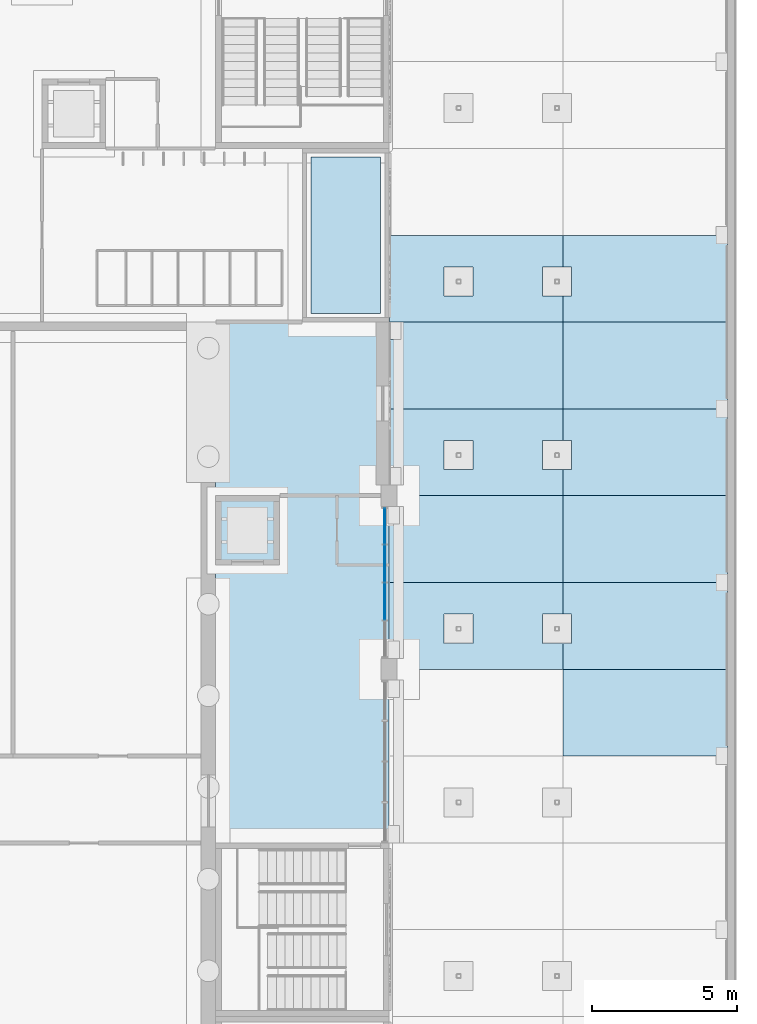
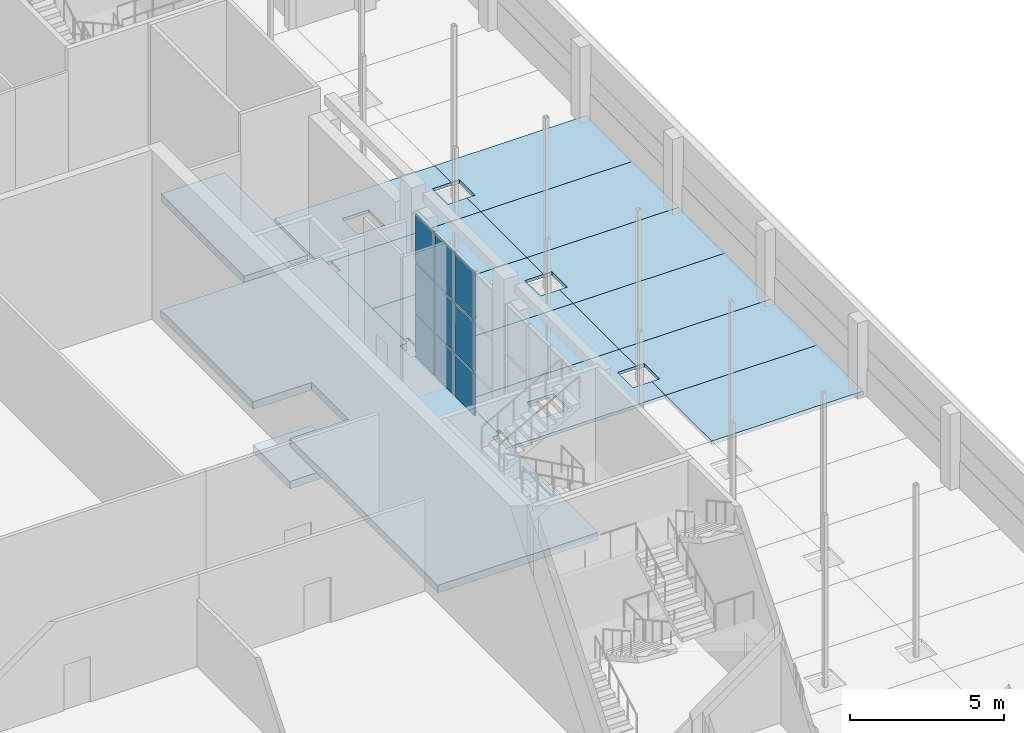
# One storey, part 35 of 95: 14 slabs, 9 plates, 1 element without a shape of its own.
"""IFC4 building model written with IfcOpenShell, lengths in metres."""

from ifc_helpers import new_model, si_unit, direction, frame, origin, origin_2d, place, context, subcontext, project, spatial, polyline, rectangle, outline, extrude, material, layer, layer_set, type_object, element, aggregate, save


model = new_model("IFC4")

# Units and contexts
model_context = context("Model", 3, precision=1e-05, world=origin(), true_north=direction((0.0, 1.0)))
body_context = subcontext(model_context, "Body", "Model", "MODEL_VIEW")
ifc_project = project(units=[si_unit("LENGTHUNIT", "METRE"), si_unit("AREAUNIT", "SQUARE_METRE"), si_unit("VOLUMEUNIT", "CUBIC_METRE"), si_unit("PLANEANGLEUNIT", "RADIAN"), si_unit("MASSUNIT", "GRAM", prefix="KILO")], contexts=[model_context])

# Site, building, storey
site_placement = place(None, origin())
site = spatial("IfcSite", under=ifc_project, at=site_placement, CompositionType="ELEMENT")
building_placement = place(site_placement, origin())
building = spatial("IfcBuilding", under=site, at=building_placement, Name="Saffron Lane Theatres", CompositionType="ELEMENT")
storey_placement = place(building_placement, origin())
storey = spatial("IfcBuildingStorey", under=building, at=storey_placement, Name="L00", CompositionType="ELEMENT", Elevation=0.0)

# Curtain wall, plates
ifc_material_1 = material(Name="Aluminium", Category="aluminium")
curtain_wall_type = type_object("IfcCurtainWallType", Name="EX-CURTAIN WALL 5250x6050x200", PredefinedType="NOTDEFINED", material=ifc_material_1)
curtain_wall_placement = place(storey_placement, origin())
curtain_wall = element("IfcCurtainWall", 1, at=curtain_wall_placement, inside=storey, type_object=curtain_wall_type, Name="Curtain wall L00 05", PredefinedType="NOTDEFINED")
ifc_material_2 = material(Name="Glass", Category="glass")
ifc_layer_1 = layer(ifc_material_2, 0.031982421875)
ifc_layer_set_1 = layer_set([ifc_layer_1], Name="Glass")
plate_type = type_object("IfcPlateType", Name="EX-CW PANEL GLAZING 32", PredefinedType="CURTAIN_PANEL", material=ifc_layer_set_1)
plate_1_placement = place(storey_placement, frame((53.85009765625, 82.953857421875, 0.06005859375), z_axis=(0.0, 0.0, 1.0), x_axis=(0.0, -1.0, 0.0)))
plate_1 = element("IfcPlate", 2, at=plate_1_placement, type_object=plate_type, Name="CW-00-05 panel 1.1", PredefinedType="CURTAIN_PANEL", context=body_context, shape_type="SweptSolid", body=[
    extrude(rectangle(XDim=1.222412109375, YDim=0.031982421875, at=origin_2d()), origin(), (0.0, 0.0, 1.0), 1.926513671875),
])
plate_2_placement = place(storey_placement, frame((53.85009765625, 82.953857421875, 2.04638671875), z_axis=(0.0, 0.0, 1.0), x_axis=(0.0, -1.0, 0.0)))
plate_2 = element("IfcPlate", 3, at=plate_2_placement, type_object=plate_type, Name="CW-00-05 panel 1.2", PredefinedType="CURTAIN_PANEL", context=body_context, shape_type="SweptSolid", body=[
    extrude(rectangle(XDim=1.222412109375, YDim=0.031982421875, at=origin_2d()), origin(), (0.0, 0.0, 1.0), 1.956787109375),
])
plate_3_placement = place(storey_placement, frame((53.85009765625, 82.953857421875, 4.0634765625), z_axis=(0.0, 0.0, 1.0), x_axis=(0.0, -1.0, 0.0)))
plate_3 = element("IfcPlate", 4, at=plate_3_placement, type_object=plate_type, Name="CW-00-05 panel 1.3", PredefinedType="CURTAIN_PANEL", context=body_context, shape_type="SweptSolid", body=[
    extrude(rectangle(XDim=1.222412109375, YDim=0.031982421875, at=origin_2d()), origin(), (0.0, 0.0, 1.0), 1.926513671875),
])
plate_4_placement = place(storey_placement, frame((53.85009765625, 81.65625, 0.06005859375), z_axis=(0.0, 0.0, 1.0), x_axis=(0.0, -1.0, 0.0)))
plate_4 = element("IfcPlate", 5, at=plate_4_placement, type_object=plate_type, Name="CW-00-05 panel 2.1", PredefinedType="CURTAIN_PANEL", context=body_context, shape_type="SweptSolid", body=[
    extrude(rectangle(XDim=1.25244140625, YDim=0.031982421875, at=origin_2d()), origin(), (0.0, 0.0, 1.0), 1.926513671875),
])
plate_5_placement = place(storey_placement, frame((53.85009765625, 81.65625, 2.04638671875), z_axis=(0.0, 0.0, 1.0), x_axis=(0.0, -1.0, 0.0)))
plate_5 = element("IfcPlate", 6, at=plate_5_placement, type_object=plate_type, Name="CW-00-05 panel 2.2", PredefinedType="CURTAIN_PANEL", context=body_context, shape_type="SweptSolid", body=[
    extrude(rectangle(XDim=1.25244140625, YDim=0.031982421875, at=origin_2d()), origin(), (0.0, 0.0, 1.0), 1.956787109375),
])
plate_6_placement = place(storey_placement, frame((53.85009765625, 81.65625, 4.0634765625), z_axis=(0.0, 0.0, 1.0), x_axis=(0.0, -1.0, 0.0)))
plate_6 = element("IfcPlate", 7, at=plate_6_placement, type_object=plate_type, Name="CW-00-05 panel 2.3", PredefinedType="CURTAIN_PANEL", context=body_context, shape_type="SweptSolid", body=[
    extrude(rectangle(XDim=1.25244140625, YDim=0.031982421875, at=origin_2d()), origin(), (0.0, 0.0, 1.0), 1.926513671875),
])
plate_7_placement = place(storey_placement, frame((53.85009765625, 80.34375, 0.06005859375), z_axis=(0.0, 0.0, 1.0), x_axis=(0.0, -1.0, 0.0)))
plate_7 = element("IfcPlate", 8, at=plate_7_placement, type_object=plate_type, Name="CW-00-05 panel 3.1", PredefinedType="CURTAIN_PANEL", context=body_context, shape_type="SweptSolid", body=[
    extrude(rectangle(XDim=1.25244140625, YDim=0.031982421875, at=origin_2d()), origin(), (0.0, 0.0, 1.0), 1.926513671875),
])
plate_8_placement = place(storey_placement, frame((53.85009765625, 80.34375, 2.04638671875), z_axis=(0.0, 0.0, 1.0), x_axis=(0.0, -1.0, 0.0)))
plate_8 = element("IfcPlate", 9, at=plate_8_placement, type_object=plate_type, Name="CW-00-05 panel 3.2", PredefinedType="CURTAIN_PANEL", context=body_context, shape_type="SweptSolid", body=[
    extrude(rectangle(XDim=1.25244140625, YDim=0.031982421875, at=origin_2d()), origin(), (0.0, 0.0, 1.0), 1.956787109375),
])
plate_9_placement = place(storey_placement, frame((53.85009765625, 80.34375, 4.0634765625), z_axis=(0.0, 0.0, 1.0), x_axis=(0.0, -1.0, 0.0)))
plate_9 = element("IfcPlate", 10, at=plate_9_placement, type_object=plate_type, Name="CW-00-05 panel 3.3", PredefinedType="CURTAIN_PANEL", context=body_context, shape_type="SweptSolid", body=[
    extrude(rectangle(XDim=1.25244140625, YDim=0.031982421875, at=origin_2d()), origin(), (0.0, 0.0, 1.0), 1.926513671875),
])
aggregate(curtain_wall, [plate_1, plate_2, plate_3, plate_4, plate_5, plate_6, plate_7, plate_8, plate_9])

# Slabs
ifc_material_3 = material(Name="Masonry bluestone paving", Category="masonry")
ifc_layer_2 = layer(ifc_material_3, 0.1201171875)
ifc_layer_set_2 = layer_set([ifc_layer_2], Name="Masonry bluestone paving")
slab_type_1 = type_object("IfcSlabType", Name="EX-PAVING BLUESTONE 120", PredefinedType="USERDEFINED", material=ifc_layer_set_2)
slab_1_placement = place(storey_placement, frame((0.0, 0.0, -0.1201171875)))
element("IfcSlab", 11, at=slab_1_placement, inside=storey, type_object=slab_type_1, Name="Saffron Lane passage paving 18", ObjectType="PAVING", PredefinedType="USERDEFINED", context=body_context, shape_type="SweptSolid", body=[
    extrude(outline(polyline([(60.0, 81.0), (60.0, 84.0), (54.279052734375, 84.0), (54.279052734375, 83.62890625), (54.35009765625, 83.62890625), (54.350341796875, 83.62890625), (54.350830078125, 83.62890625), (54.35107421875, 83.62890625), (54.3515625, 83.628662109375), (54.351806640625, 83.62841796875), (54.352294921875, 83.62841796875), (54.3525390625, 83.628173828125), (54.352783203125, 83.6279296875), (54.35302734375, 83.62744140625), (54.353271484375, 83.627197265625), (54.353515625, 83.626953125), (54.353759765625, 83.62646484375), (54.353759765625, 83.626220703125), (54.35400390625, 83.625732421875), (54.35400390625, 83.62548828125), (54.35400390625, 83.625), (54.35400390625, 83.02490234375), (54.35400390625, 83.024658203125), (54.35400390625, 83.024169921875), (54.353759765625, 83.02392578125), (54.353759765625, 83.0234375), (54.353515625, 83.023193359375), (54.353271484375, 83.022705078125), (54.35302734375, 83.0224609375), (54.352783203125, 83.022216796875), (54.3525390625, 83.02197265625), (54.352294921875, 83.021728515625), (54.351806640625, 83.021484375), (54.3515625, 83.021240234375), (54.35107421875, 83.021240234375), (54.350830078125, 83.02099609375), (54.350341796875, 83.02099609375), (54.35009765625, 83.02099609375), (54.00390625, 83.02099609375), (54.00390625, 81.0), (60.0, 81.0)])), origin(), (0.0, 0.0, 1.0), 0.1201171875),
])
slab_2_placement = place(storey_placement, frame((0.0, 0.0, -0.1201171875)))
element("IfcSlab", 12, at=slab_2_placement, inside=storey, type_object=slab_type_1, Name="Saffron Lane passage paving 20", ObjectType="PAVING", PredefinedType="USERDEFINED", context=body_context, shape_type="SweptSolid", body=[
    extrude(outline(polyline([(60.0, 87.0), (60.0, 90.0), (54.404052734375, 90.0), (54.404052734375, 89.39990234375), (54.404052734375, 89.399658203125), (54.40380859375, 89.399169921875), (54.40380859375, 89.39892578125), (54.40380859375, 89.3984375), (54.403564453125, 89.398193359375), (54.4033203125, 89.397705078125), (54.403076171875, 89.3974609375), (54.40283203125, 89.397216796875), (54.402587890625, 89.39697265625), (54.40234375, 89.396728515625), (54.40185546875, 89.396484375), (54.401611328125, 89.396240234375), (54.401123046875, 89.396240234375), (54.40087890625, 89.39599609375), (54.400390625, 89.39599609375), (54.39990234375, 89.39599609375), (54.00390625, 89.39599609375), (54.00390625, 87.0), (60.0, 87.0)])), origin(), (0.0, 0.0, 1.0), 0.1201171875),
])
ifc_material_4 = material(Name="Masonry bluestone paving", Category="masonry")
ifc_layer_3 = layer(ifc_material_4, 0.14990234375)
ifc_layer_set_3 = layer_set([ifc_layer_3], Name="Masonry bluestone paving")
slab_type_2 = type_object("IfcSlabType", Name="EX-PAVING BLUESTONE 150", PredefinedType="USERDEFINED", material=ifc_layer_set_3)
slab_3_placement = place(storey_placement, frame((0.0, 0.0, -0.14990234375)))
element("IfcSlab", 13, at=slab_3_placement, inside=storey, type_object=slab_type_2, Name="East court paving 31", ObjectType="PAVING", PredefinedType="USERDEFINED", context=body_context, shape_type="SweptSolid", body=[
    extrude(outline(polyline([(60.0, 78.0), (60.0, 75.0), (65.68603515625, 75.0), (65.68603515625, 78.0), (60.0, 78.0)])), origin(), (0.0, 0.0, 1.0), 0.14990234375),
])
slab_4_placement = place(storey_placement, frame((0.0, 0.0, -0.14990234375)))
element("IfcSlab", 14, at=slab_4_placement, inside=storey, type_object=slab_type_2, Name="East court paving 35", ObjectType="PAVING", PredefinedType="USERDEFINED", context=body_context, shape_type="SweptSolid", body=[
    extrude(outline(polyline([(60.0, 84.0), (60.0, 81.0), (65.68603515625, 81.0), (65.68603515625, 84.0), (60.0, 84.0)])), origin(), (0.0, 0.0, 1.0), 0.14990234375),
])
slab_5_placement = place(storey_placement, frame((0.0, 0.0, -0.14990234375)))
element("IfcSlab", 15, at=slab_5_placement, inside=storey, type_object=slab_type_2, Name="East court paving 39", ObjectType="PAVING", PredefinedType="USERDEFINED", context=body_context, shape_type="SweptSolid", body=[
    extrude(outline(polyline([(60.0, 90.0), (60.0, 87.0), (65.68603515625, 87.0), (65.68603515625, 90.0), (60.0, 90.0)])), origin(), (0.0, 0.0, 1.0), 0.14990234375),
])
ifc_material_5 = material(Name="Masonry sandstone paving", Category="masonry")
ifc_layer_4 = layer(ifc_material_5, 0.1201171875)
ifc_layer_set_4 = layer_set([ifc_layer_4], Name="Masonry sandstone paving")
slab_type_3 = type_object("IfcSlabType", Name="EX-PAVING SANDSTONE 120", PredefinedType="USERDEFINED", material=ifc_layer_set_4)
slab_6_placement = place(storey_placement, frame((0.0, 0.0, -0.1201171875)))
element("IfcSlab", 16, at=slab_6_placement, inside=storey, type_object=slab_type_3, Name="Saffron Lane passage paving 17", ObjectType="PAVING", PredefinedType="USERDEFINED", context=body_context, shape_type="SweptSolid", body=[
    extrude(outline(polyline([(60.0, 79.904052734375), (60.0, 81.0), (54.00390625, 81.0), (54.00390625, 78.97900390625), (54.35009765625, 78.97900390625), (54.350341796875, 78.97900390625), (54.350830078125, 78.97900390625), (54.35107421875, 78.978759765625), (54.3515625, 78.978759765625), (54.351806640625, 78.978515625), (54.352294921875, 78.978271484375), (54.3525390625, 78.97802734375), (54.352783203125, 78.977783203125), (54.35302734375, 78.9775390625), (54.353271484375, 78.977294921875), (54.353515625, 78.976806640625), (54.353759765625, 78.9765625), (54.353759765625, 78.97607421875), (54.35400390625, 78.975830078125), (54.35400390625, 78.975341796875), (54.35400390625, 78.97509765625), (54.35400390625, 78.375), (54.35400390625, 78.37451171875), (54.35400390625, 78.374267578125), (54.353759765625, 78.373779296875), (54.353759765625, 78.37353515625), (54.353515625, 78.373046875), (54.353271484375, 78.372802734375), (54.35302734375, 78.37255859375), (54.352783203125, 78.3720703125), (54.3525390625, 78.371826171875), (54.352294921875, 78.37158203125), (54.351806640625, 78.37158203125), (54.3515625, 78.371337890625), (54.35107421875, 78.37109375), (54.350830078125, 78.37109375), (54.350341796875, 78.37109375), (54.35009765625, 78.37109375), (54.279052734375, 78.37109375), (54.279052734375, 78.0), (60.0, 78.0), (60.0, 78.89599609375), (59.300048828125, 78.89599609375), (59.299560546875, 78.89599609375), (59.29931640625, 78.89599609375), (59.298828125, 78.896240234375), (59.298583984375, 78.896240234375), (59.298095703125, 78.896484375), (59.2978515625, 78.896728515625), (59.29736328125, 78.89697265625), (59.297119140625, 78.897216796875), (59.296875, 78.8974609375), (59.296630859375, 78.897705078125), (59.29638671875, 78.898193359375), (59.29638671875, 78.8984375), (59.296142578125, 78.89892578125), (59.296142578125, 78.899169921875), (59.2958984375, 78.899658203125), (59.2958984375, 78.89990234375), (59.2958984375, 79.89990234375), (59.2958984375, 79.900390625), (59.296142578125, 79.90087890625), (59.296142578125, 79.901123046875), (59.29638671875, 79.901611328125), (59.29638671875, 79.90185546875), (59.296630859375, 79.90234375), (59.296875, 79.902587890625), (59.297119140625, 79.90283203125), (59.29736328125, 79.903076171875), (59.2978515625, 79.9033203125), (59.298095703125, 79.903564453125), (59.298583984375, 79.90380859375), (59.298828125, 79.90380859375), (59.29931640625, 79.90380859375), (59.299560546875, 79.904052734375), (59.300048828125, 79.904052734375), (60.0, 79.904052734375)]), holes=[polyline([(55.89599609375, 79.900390625), (55.89599609375, 79.90087890625), (55.896240234375, 79.901123046875), (55.896240234375, 79.901611328125), (55.896484375, 79.90185546875), (55.896728515625, 79.90234375), (55.89697265625, 79.902587890625), (55.897216796875, 79.90283203125), (55.8974609375, 79.903076171875), (55.897705078125, 79.9033203125), (55.898193359375, 79.903564453125), (55.8984375, 79.90380859375), (55.89892578125, 79.90380859375), (55.899169921875, 79.90380859375), (55.899658203125, 79.904052734375), (55.89990234375, 79.904052734375), (56.89990234375, 79.904052734375), (56.900390625, 79.904052734375), (56.90087890625, 79.90380859375), (56.901123046875, 79.90380859375), (56.901611328125, 79.90380859375), (56.90185546875, 79.903564453125), (56.90234375, 79.9033203125), (56.902587890625, 79.903076171875), (56.90283203125, 79.90283203125), (56.903076171875, 79.902587890625), (56.9033203125, 79.90234375), (56.903564453125, 79.90185546875), (56.90380859375, 79.901611328125), (56.90380859375, 79.901123046875), (56.90380859375, 79.90087890625), (56.904052734375, 79.900390625), (56.904052734375, 79.89990234375), (56.904052734375, 78.89990234375), (56.904052734375, 78.899658203125), (56.90380859375, 78.899169921875), (56.90380859375, 78.89892578125), (56.90380859375, 78.8984375), (56.903564453125, 78.898193359375), (56.9033203125, 78.897705078125), (56.903076171875, 78.8974609375), (56.90283203125, 78.897216796875), (56.902587890625, 78.89697265625), (56.90234375, 78.896728515625), (56.90185546875, 78.896484375), (56.901611328125, 78.896240234375), (56.901123046875, 78.896240234375), (56.90087890625, 78.89599609375), (56.900390625, 78.89599609375), (56.89990234375, 78.89599609375), (55.89990234375, 78.89599609375), (55.899658203125, 78.89599609375), (55.899169921875, 78.89599609375), (55.89892578125, 78.896240234375), (55.8984375, 78.896240234375), (55.898193359375, 78.896484375), (55.897705078125, 78.896728515625), (55.8974609375, 78.89697265625), (55.897216796875, 78.897216796875), (55.89697265625, 78.8974609375), (55.896728515625, 78.897705078125), (55.896484375, 78.898193359375), (55.896240234375, 78.8984375), (55.896240234375, 78.89892578125), (55.89599609375, 78.899169921875), (55.89599609375, 78.899658203125), (55.89599609375, 78.89990234375), (55.89599609375, 79.89990234375), (55.89599609375, 79.900390625)])]), origin(), (0.0, 0.0, 1.0), 0.1201171875),
])
slab_7_placement = place(storey_placement, frame((0.0, 0.0, -0.1201171875)))
element("IfcSlab", 17, at=slab_7_placement, inside=storey, type_object=slab_type_3, Name="Saffron Lane passage paving 19", ObjectType="PAVING", PredefinedType="USERDEFINED", context=body_context, shape_type="SweptSolid", body=[
    extrude(outline(polyline([(60.0, 85.904052734375), (60.0, 87.0), (54.00390625, 87.0), (54.00390625, 84.97900390625), (54.39990234375, 84.97900390625), (54.400390625, 84.97900390625), (54.40087890625, 84.97900390625), (54.401123046875, 84.978759765625), (54.401611328125, 84.978759765625), (54.40185546875, 84.978515625), (54.40234375, 84.978271484375), (54.402587890625, 84.97802734375), (54.40283203125, 84.977783203125), (54.403076171875, 84.9775390625), (54.4033203125, 84.977294921875), (54.403564453125, 84.976806640625), (54.40380859375, 84.9765625), (54.40380859375, 84.97607421875), (54.40380859375, 84.975830078125), (54.404052734375, 84.975341796875), (54.404052734375, 84.97509765625), (54.404052734375, 84.375), (54.404052734375, 84.37451171875), (54.40380859375, 84.374267578125), (54.40380859375, 84.373779296875), (54.40380859375, 84.37353515625), (54.403564453125, 84.373046875), (54.4033203125, 84.372802734375), (54.403076171875, 84.37255859375), (54.40283203125, 84.3720703125), (54.402587890625, 84.371826171875), (54.40234375, 84.37158203125), (54.40185546875, 84.37158203125), (54.401611328125, 84.371337890625), (54.401123046875, 84.37109375), (54.40087890625, 84.37109375), (54.400390625, 84.37109375), (54.39990234375, 84.37109375), (54.279052734375, 84.37109375), (54.279052734375, 84.0), (60.0, 84.0), (60.0, 84.89599609375), (59.300048828125, 84.89599609375), (59.299560546875, 84.89599609375), (59.29931640625, 84.89599609375), (59.298828125, 84.896240234375), (59.298583984375, 84.896240234375), (59.298095703125, 84.896484375), (59.2978515625, 84.896728515625), (59.29736328125, 84.89697265625), (59.297119140625, 84.897216796875), (59.296875, 84.8974609375), (59.296630859375, 84.897705078125), (59.29638671875, 84.898193359375), (59.29638671875, 84.8984375), (59.296142578125, 84.89892578125), (59.296142578125, 84.899169921875), (59.2958984375, 84.899658203125), (59.2958984375, 84.89990234375), (59.2958984375, 85.89990234375), (59.2958984375, 85.900390625), (59.296142578125, 85.90087890625), (59.296142578125, 85.901123046875), (59.29638671875, 85.901611328125), (59.29638671875, 85.90185546875), (59.296630859375, 85.90234375), (59.296875, 85.902587890625), (59.297119140625, 85.90283203125), (59.29736328125, 85.903076171875), (59.2978515625, 85.9033203125), (59.298095703125, 85.903564453125), (59.298583984375, 85.90380859375), (59.298828125, 85.90380859375), (59.29931640625, 85.90380859375), (59.299560546875, 85.904052734375), (59.300048828125, 85.904052734375), (60.0, 85.904052734375)]), holes=[polyline([(55.89599609375, 85.90087890625), (55.896240234375, 85.901123046875), (55.896240234375, 85.901611328125), (55.896484375, 85.90185546875), (55.896728515625, 85.90234375), (55.89697265625, 85.902587890625), (55.897216796875, 85.90283203125), (55.8974609375, 85.903076171875), (55.897705078125, 85.9033203125), (55.898193359375, 85.903564453125), (55.8984375, 85.90380859375), (55.89892578125, 85.90380859375), (55.899169921875, 85.90380859375), (55.899658203125, 85.904052734375), (55.89990234375, 85.904052734375), (56.89990234375, 85.904052734375), (56.900390625, 85.904052734375), (56.90087890625, 85.90380859375), (56.901123046875, 85.90380859375), (56.901611328125, 85.90380859375), (56.90185546875, 85.903564453125), (56.90234375, 85.9033203125), (56.902587890625, 85.903076171875), (56.90283203125, 85.90283203125), (56.903076171875, 85.902587890625), (56.9033203125, 85.90234375), (56.903564453125, 85.90185546875), (56.90380859375, 85.901611328125), (56.90380859375, 85.901123046875), (56.90380859375, 85.90087890625), (56.904052734375, 85.900390625), (56.904052734375, 85.89990234375), (56.904052734375, 84.89990234375), (56.904052734375, 84.899658203125), (56.90380859375, 84.899169921875), (56.90380859375, 84.89892578125), (56.90380859375, 84.8984375), (56.903564453125, 84.898193359375), (56.9033203125, 84.897705078125), (56.903076171875, 84.8974609375), (56.90283203125, 84.897216796875), (56.902587890625, 84.89697265625), (56.90234375, 84.896728515625), (56.90185546875, 84.896484375), (56.901611328125, 84.896240234375), (56.901123046875, 84.896240234375), (56.90087890625, 84.89599609375), (56.900390625, 84.89599609375), (56.89990234375, 84.89599609375), (55.89990234375, 84.89599609375), (55.899658203125, 84.89599609375), (55.899169921875, 84.89599609375), (55.89892578125, 84.896240234375), (55.8984375, 84.896240234375), (55.898193359375, 84.896484375), (55.897705078125, 84.896728515625), (55.8974609375, 84.89697265625), (55.897216796875, 84.897216796875), (55.89697265625, 84.8974609375), (55.896728515625, 84.897705078125), (55.896484375, 84.898193359375), (55.896240234375, 84.8984375), (55.896240234375, 84.89892578125), (55.89599609375, 84.899169921875), (55.89599609375, 84.899658203125), (55.89599609375, 84.89990234375), (55.89599609375, 85.89990234375), (55.89599609375, 85.900390625), (55.89599609375, 85.90087890625)])]), origin(), (0.0, 0.0, 1.0), 0.1201171875),
])
slab_8_placement = place(storey_placement, frame((0.0, 0.0, -0.1201171875)))
element("IfcSlab", 18, at=slab_8_placement, inside=storey, type_object=slab_type_3, Name="Saffron Lane passage paving 21", ObjectType="PAVING", PredefinedType="USERDEFINED", context=body_context, shape_type="SweptSolid", body=[
    extrude(outline(polyline([(60.0, 91.904052734375), (60.0, 93.0), (54.00390625, 93.0), (54.00390625, 90.14990234375), (54.00390625, 90.00390625), (54.39990234375, 90.00390625), (54.400390625, 90.00390625), (54.40087890625, 90.00390625), (54.401123046875, 90.00390625), (54.401611328125, 90.003662109375), (54.40185546875, 90.00341796875), (54.40234375, 90.00341796875), (54.402587890625, 90.003173828125), (54.40283203125, 90.0029296875), (54.403076171875, 90.00244140625), (54.4033203125, 90.002197265625), (54.403564453125, 90.001953125), (54.40380859375, 90.00146484375), (54.40380859375, 90.001220703125), (54.40380859375, 90.000732421875), (54.404052734375, 90.00048828125), (54.404052734375, 90.0), (60.0, 90.0), (60.0, 90.89599609375), (59.300048828125, 90.89599609375), (59.299560546875, 90.89599609375), (59.29931640625, 90.89599609375), (59.298828125, 90.896240234375), (59.298583984375, 90.896240234375), (59.298095703125, 90.896484375), (59.2978515625, 90.896728515625), (59.29736328125, 90.89697265625), (59.297119140625, 90.897216796875), (59.296875, 90.8974609375), (59.296630859375, 90.897705078125), (59.29638671875, 90.898193359375), (59.29638671875, 90.8984375), (59.296142578125, 90.89892578125), (59.296142578125, 90.899169921875), (59.2958984375, 90.899658203125), (59.2958984375, 90.89990234375), (59.2958984375, 91.89990234375), (59.2958984375, 91.900390625), (59.296142578125, 91.90087890625), (59.296142578125, 91.901123046875), (59.29638671875, 91.901611328125), (59.29638671875, 91.90185546875), (59.296630859375, 91.90234375), (59.296875, 91.902587890625), (59.297119140625, 91.90283203125), (59.29736328125, 91.903076171875), (59.2978515625, 91.9033203125), (59.298095703125, 91.903564453125), (59.298583984375, 91.90380859375), (59.298828125, 91.90380859375), (59.29931640625, 91.90380859375), (59.299560546875, 91.904052734375), (59.300048828125, 91.904052734375), (60.0, 91.904052734375)]), holes=[polyline([(55.89599609375, 91.90087890625), (55.896240234375, 91.901123046875), (55.896240234375, 91.901611328125), (55.896484375, 91.90185546875), (55.896728515625, 91.90234375), (55.89697265625, 91.902587890625), (55.897216796875, 91.90283203125), (55.8974609375, 91.903076171875), (55.897705078125, 91.9033203125), (55.898193359375, 91.903564453125), (55.8984375, 91.90380859375), (55.89892578125, 91.90380859375), (55.899169921875, 91.90380859375), (55.899658203125, 91.904052734375), (55.89990234375, 91.904052734375), (56.89990234375, 91.904052734375), (56.900390625, 91.904052734375), (56.90087890625, 91.90380859375), (56.901123046875, 91.90380859375), (56.901611328125, 91.90380859375), (56.90185546875, 91.903564453125), (56.90234375, 91.9033203125), (56.902587890625, 91.903076171875), (56.90283203125, 91.90283203125), (56.903076171875, 91.902587890625), (56.9033203125, 91.90234375), (56.903564453125, 91.90185546875), (56.90380859375, 91.901611328125), (56.90380859375, 91.901123046875), (56.90380859375, 91.90087890625), (56.904052734375, 91.900390625), (56.904052734375, 91.89990234375), (56.904052734375, 90.89990234375), (56.904052734375, 90.899658203125), (56.90380859375, 90.899169921875), (56.90380859375, 90.89892578125), (56.90380859375, 90.8984375), (56.903564453125, 90.898193359375), (56.9033203125, 90.897705078125), (56.903076171875, 90.8974609375), (56.90283203125, 90.897216796875), (56.902587890625, 90.89697265625), (56.90234375, 90.896728515625), (56.90185546875, 90.896484375), (56.901611328125, 90.896240234375), (56.901123046875, 90.896240234375), (56.90087890625, 90.89599609375), (56.900390625, 90.89599609375), (56.89990234375, 90.89599609375), (55.89990234375, 90.89599609375), (55.899658203125, 90.89599609375), (55.899169921875, 90.89599609375), (55.89892578125, 90.896240234375), (55.8984375, 90.896240234375), (55.898193359375, 90.896484375), (55.897705078125, 90.896728515625), (55.8974609375, 90.89697265625), (55.897216796875, 90.897216796875), (55.89697265625, 90.8974609375), (55.896728515625, 90.897705078125), (55.896484375, 90.898193359375), (55.896240234375, 90.8984375), (55.896240234375, 90.89892578125), (55.89599609375, 90.899169921875), (55.89599609375, 90.899658203125), (55.89599609375, 90.89990234375), (55.89599609375, 91.89990234375), (55.89599609375, 91.900390625), (55.89599609375, 91.90087890625)])]), origin(), (0.0, 0.0, 1.0), 0.1201171875),
])
ifc_material_6 = material(Name="Masonry sandstone paving", Category="masonry")
ifc_layer_5 = layer(ifc_material_6, 0.14990234375)
ifc_layer_set_5 = layer_set([ifc_layer_5], Name="Masonry sandstone paving")
slab_type_4 = type_object("IfcSlabType", Name="EX-PAVING SANDSTONE 150", PredefinedType="USERDEFINED", material=ifc_layer_set_5)
slab_9_placement = place(storey_placement, frame((0.0, 0.0, -0.14990234375)))
element("IfcSlab", 19, at=slab_9_placement, inside=storey, type_object=slab_type_4, Name="East court paving 33", ObjectType="PAVING", PredefinedType="USERDEFINED", context=body_context, shape_type="SweptSolid", body=[
    extrude(outline(polyline([(60.0, 78.89599609375), (60.0, 78.0), (65.68603515625, 78.0), (65.68603515625, 81.0), (60.0, 81.0), (60.0, 79.904052734375), (60.300048828125, 79.904052734375), (60.30029296875, 79.904052734375), (60.30078125, 79.90380859375), (60.30126953125, 79.90380859375), (60.301513671875, 79.90380859375), (60.302001953125, 79.903564453125), (60.30224609375, 79.9033203125), (60.302490234375, 79.903076171875), (60.302734375, 79.90283203125), (60.302978515625, 79.902587890625), (60.30322265625, 79.90234375), (60.303466796875, 79.90185546875), (60.3037109375, 79.901611328125), (60.3037109375, 79.901123046875), (60.303955078125, 79.90087890625), (60.303955078125, 79.900390625), (60.303955078125, 79.89990234375), (60.303955078125, 78.89990234375), (60.303955078125, 78.899658203125), (60.303955078125, 78.899169921875), (60.3037109375, 78.89892578125), (60.3037109375, 78.8984375), (60.303466796875, 78.898193359375), (60.30322265625, 78.897705078125), (60.302978515625, 78.8974609375), (60.302734375, 78.897216796875), (60.302490234375, 78.89697265625), (60.30224609375, 78.896728515625), (60.302001953125, 78.896484375), (60.301513671875, 78.896240234375), (60.30126953125, 78.896240234375), (60.30078125, 78.89599609375), (60.30029296875, 78.89599609375), (60.300048828125, 78.89599609375), (60.0, 78.89599609375)])), origin(), (0.0, 0.0, 1.0), 0.14990234375),
])
slab_10_placement = place(storey_placement, frame((0.0, 0.0, -0.14990234375)))
element("IfcSlab", 20, at=slab_10_placement, inside=storey, type_object=slab_type_4, Name="East court paving 37", ObjectType="PAVING", PredefinedType="USERDEFINED", context=body_context, shape_type="SweptSolid", body=[
    extrude(outline(polyline([(60.0, 84.89599609375), (60.0, 84.0), (65.68603515625, 84.0), (65.68603515625, 87.0), (60.0, 87.0), (60.0, 85.904052734375), (60.300048828125, 85.904052734375), (60.30029296875, 85.904052734375), (60.30078125, 85.90380859375), (60.30126953125, 85.90380859375), (60.301513671875, 85.90380859375), (60.302001953125, 85.903564453125), (60.30224609375, 85.9033203125), (60.302490234375, 85.903076171875), (60.302734375, 85.90283203125), (60.302978515625, 85.902587890625), (60.30322265625, 85.90234375), (60.303466796875, 85.90185546875), (60.3037109375, 85.901611328125), (60.3037109375, 85.901123046875), (60.303955078125, 85.90087890625), (60.303955078125, 85.900390625), (60.303955078125, 85.89990234375), (60.303955078125, 84.89990234375), (60.303955078125, 84.899658203125), (60.303955078125, 84.899169921875), (60.3037109375, 84.89892578125), (60.3037109375, 84.8984375), (60.303466796875, 84.898193359375), (60.30322265625, 84.897705078125), (60.302978515625, 84.8974609375), (60.302734375, 84.897216796875), (60.302490234375, 84.89697265625), (60.30224609375, 84.896728515625), (60.302001953125, 84.896484375), (60.301513671875, 84.896240234375), (60.30126953125, 84.896240234375), (60.30078125, 84.89599609375), (60.30029296875, 84.89599609375), (60.300048828125, 84.89599609375), (60.0, 84.89599609375)])), origin(), (0.0, 0.0, 1.0), 0.14990234375),
])
slab_11_placement = place(storey_placement, frame((0.0, 0.0, -0.14990234375)))
element("IfcSlab", 21, at=slab_11_placement, inside=storey, type_object=slab_type_4, Name="East court paving 41", ObjectType="PAVING", PredefinedType="USERDEFINED", context=body_context, shape_type="SweptSolid", body=[
    extrude(outline(polyline([(60.0, 90.89599609375), (60.0, 90.0), (65.68603515625, 90.0), (65.68603515625, 93.0), (60.0, 93.0), (60.0, 91.904052734375), (60.300048828125, 91.904052734375), (60.30029296875, 91.904052734375), (60.30078125, 91.90380859375), (60.30126953125, 91.90380859375), (60.301513671875, 91.90380859375), (60.302001953125, 91.903564453125), (60.30224609375, 91.9033203125), (60.302490234375, 91.903076171875), (60.302734375, 91.90283203125), (60.302978515625, 91.902587890625), (60.30322265625, 91.90234375), (60.303466796875, 91.90185546875), (60.3037109375, 91.901611328125), (60.3037109375, 91.901123046875), (60.303955078125, 91.90087890625), (60.303955078125, 91.900390625), (60.303955078125, 91.89990234375), (60.303955078125, 90.89990234375), (60.303955078125, 90.899658203125), (60.303955078125, 90.899169921875), (60.3037109375, 90.89892578125), (60.3037109375, 90.8984375), (60.303466796875, 90.898193359375), (60.30322265625, 90.897705078125), (60.302978515625, 90.8974609375), (60.302734375, 90.897216796875), (60.302490234375, 90.89697265625), (60.30224609375, 90.896728515625), (60.302001953125, 90.896484375), (60.301513671875, 90.896240234375), (60.30126953125, 90.896240234375), (60.30078125, 90.89599609375), (60.30029296875, 90.89599609375), (60.300048828125, 90.89599609375), (60.0, 90.89599609375)])), origin(), (0.0, 0.0, 1.0), 0.14990234375),
])
ifc_material_7 = material(Name="Concrete N40 (40 MPa)", Category="concrete")
ifc_layer_6 = layer(ifc_material_7, 0.300048828125)
ifc_layer_set_6 = layer_set([ifc_layer_6], Name="Concrete N40 (40 MPa)")
slab_type_5 = type_object("IfcSlabType", Name="RC-SLAB BASE 300", PredefinedType="BASESLAB", material=ifc_layer_set_6)
slab_12_placement = place(storey_placement, origin())
element("IfcSlab", 22, at=slab_12_placement, inside=storey, type_object=slab_type_5, Name="slab-L00-AUD-5", PredefinedType="BASESLAB", context=body_context, shape_type="SweptSolid", body=[
    extrude(outline(polyline([(48.0, 72.0), (54.0, 72.0), (54.0, 77.623046875), (53.722900390625, 77.623046875), (53.722900390625, 78.376953125), (54.0, 78.376953125), (54.0, 83.623046875), (53.722900390625, 83.623046875), (53.722900390625, 84.376953125), (54.0, 84.376953125), (54.0, 90.0), (51.0, 90.0), (48.0, 90.0), (48.0, 84.0), (50.199951171875, 84.0), (50.199951171875, 81.60009765625), (48.0, 81.60009765625), (48.0, 72.0)])), origin(), (0.0, 0.0, 1.0), 0.300048828125),
])
slab_13_placement = place(storey_placement, origin())
element("IfcSlab", 23, at=slab_13_placement, inside=storey, type_object=slab_type_5, Name="slab-L00-core-R2", PredefinedType="BASESLAB", context=body_context, shape_type="SweptSolid", body=[
    extrude(outline(polyline([(51.300048828125, 90.300048828125), (53.699951171875, 90.300048828125), (53.699951171875, 95.699951171875), (51.300048828125, 95.699951171875), (51.300048828125, 90.300048828125)])), origin(), (0.0, 0.0, 1.0), 0.300048828125),
])
slab_14_placement = place(storey_placement, frame((0.0, 0.0, -1.699951171875)))
element("IfcSlab", 24, at=slab_14_placement, inside=storey, type_object=slab_type_5, Name="slab-pit-LC4", PredefinedType="BASESLAB", context=body_context, shape_type="SweptSolid", body=[
    extrude(outline(polyline([(48.0, 81.60009765625), (50.199951171875, 81.60009765625), (50.199951171875, 84.0), (48.0, 84.0), (48.0, 81.60009765625)])), origin(), (0.0, 0.0, 1.0), 0.300048828125),
])

save(model, "model.ifc")
